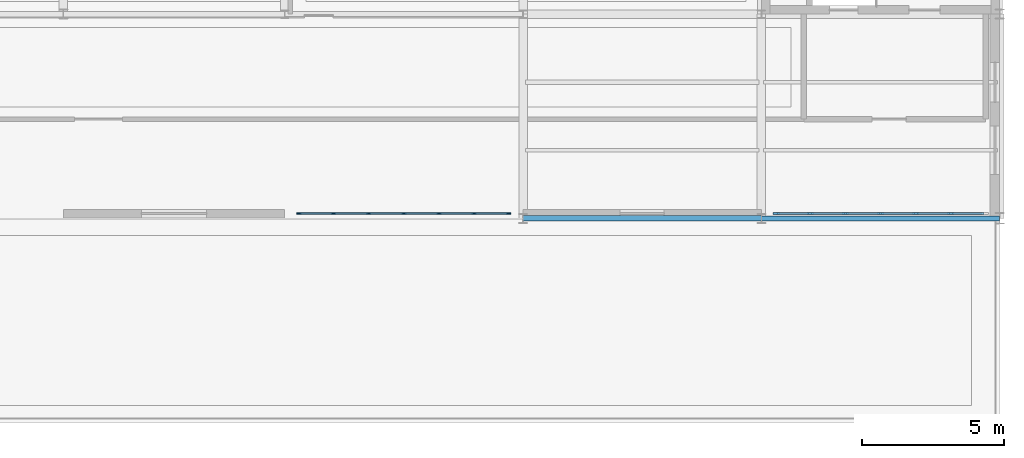
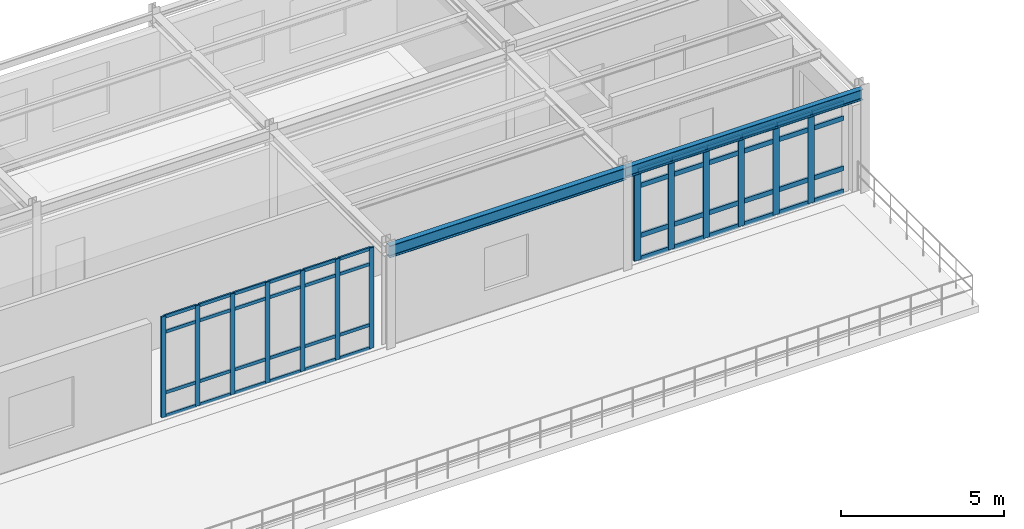
# One storey, part 28 of 58: 61 members, 2 beams, 2 elements without a shape of their own.
"""IFC4 building model written with IfcOpenShell, lengths in metres."""

import ifcopenshell
import ifcopenshell.guid

model = None  # the IFC model being written
_history = None  # IfcOwnerHistory: only IFC2X3 demands one
_inside = {}  # id of a spatial element -> (the spatial element, [elements in it])
_under = {}  # id of a project, library or spatial element -> (it, [spatial elements below it])
_declared = {}  # id of a project -> (the project, [libraries it declares])
_typed = {}  # id of a type object -> (the type object, [elements of that type])
_made_of = {}  # id of a material, layer set ... -> (it, [elements and type objects made of it])


def new_model(schema):
    """Start an empty IFC model of exactly this schema.

    Asked for "IFC4X3", IfcOpenShell would pick the latest addendum, in which some entities
    have other attributes; the version numbers below select the first issue.
    IFC2X3 requires an IfcOwnerHistory on every rooted entity: one is made here for all.
    """
    global model, _history
    if schema == "IFC4X3":
        model = ifcopenshell.file(schema_version=(4, 3, 0, 0))
    else:
        model = ifcopenshell.file(schema=schema)
    _inside.clear()
    _under.clear()
    _declared.clear()
    _typed.clear()
    _made_of.clear()
    _history = None
    if model.schema == "IFC2X3":
        org = make("IfcOrganization", Name="unknown")
        user = make(
            "IfcPersonAndOrganization",
            ThePerson=make("IfcPerson", FamilyName="unknown"),
            TheOrganization=org,
        )
        app = make(
            "IfcApplication",
            ApplicationDeveloper=org,
            Version="unknown",
            ApplicationFullName="unknown",
            ApplicationIdentifier="unknown",
        )
        _history = make(
            "IfcOwnerHistory",
            OwningUser=user,
            OwningApplication=app,
            ChangeAction="ADDED",
            CreationDate=0,
        )
    return model


def make(cls, **values):
    """One entity of the class cls with the attributes given. An attribute that is None is left unset."""
    return model.create_entity(
        cls, **{name: value for name, value in values.items() if value is not None}
    )


def rooted(cls, **values):
    """An entity with a GlobalId (a new one), such as an element, a storey or a relation."""
    return make(cls, GlobalId=ifcopenshell.guid.new(), OwnerHistory=_history, **values)


def si_unit(unit_type, name, prefix=None):
    """IfcSIUnit, for example si_unit("LENGTHUNIT", "METRE", prefix="MILLI")."""
    return make("IfcSIUnit", UnitType=unit_type, Prefix=prefix, Name=name)


def derived_unit(unit_type, elements):
    """IfcDerivedUnit: a product of units, each with its exponent."""
    return make(
        "IfcDerivedUnit",
        Elements=[
            make("IfcDerivedUnitElement", Unit=unit, Exponent=power)
            for unit, power in elements
        ],
        UnitType=unit_type,
    )


def assignment(units):
    """IfcUnitAssignment: the units of a project."""
    return None if units is None else make("IfcUnitAssignment", Units=units)


def point(xyz):
    """IfcCartesianPoint."""
    return None if xyz is None else make("IfcCartesianPoint", Coordinates=xyz)


def direction(xyz):
    """IfcDirection."""
    return None if xyz is None else make("IfcDirection", DirectionRatios=xyz)


def frame(location, z_axis=None, x_axis=None):
    """IfcAxis2Placement3D, a coordinate frame: its origin and axes. An axis left out is left unset."""
    return make(
        "IfcAxis2Placement3D",
        Location=point(location),
        Axis=direction(z_axis),
        RefDirection=direction(x_axis),
    )


def frame_2d(location, x_axis=None):
    """IfcAxis2Placement2D, a coordinate frame in the plane: its origin and x axis."""
    return make(
        "IfcAxis2Placement2D", Location=point(location), RefDirection=direction(x_axis)
    )


def origin():
    """The frame at (0, 0, 0) with its axes left unset."""
    return frame((0.0, 0.0, 0.0))


def origin_2d():
    """The frame at (0, 0) in the plane with its x axis left unset."""
    return frame_2d((0.0, 0.0))


def place(relative_to, where):
    """IfcLocalPlacement: puts the frame where relative to a parent placement (None: the world)."""
    return make(
        "IfcLocalPlacement", PlacementRelTo=relative_to, RelativePlacement=where
    )


def context(
    kind, dimensions, precision=None, world=None, true_north=None, identifier=None
):
    """IfcGeometricRepresentationContext, for example the 3D "Model" context."""
    return make(
        "IfcGeometricRepresentationContext",
        ContextIdentifier=identifier,
        ContextType=kind,
        CoordinateSpaceDimension=dimensions,
        Precision=precision,
        WorldCoordinateSystem=world,
        TrueNorth=true_north,
    )


def subcontext(parent, identifier, kind, view, scale=None):
    """IfcGeometricRepresentationSubContext, for example "Body" below "Model"."""
    return make(
        "IfcGeometricRepresentationSubContext",
        ContextIdentifier=identifier,
        ContextType=kind,
        ParentContext=parent,
        TargetScale=scale,
        TargetView=view,
    )


def project(units=None, contexts=None):
    """IfcProject with its units and contexts."""
    return rooted(
        "IfcProject",
        Name="project",
        RepresentationContexts=contexts,
        UnitsInContext=assignment(units),
    )


def spatial(cls, under=None, at=None, **own):
    """A site, building, storey or space (cls), placed at a placement, below another one or the project."""
    s = rooted(cls, ObjectPlacement=at, **own)
    if under is not None:
        _under.setdefault(under.id(), (under, []))[1].append(s)
    return s


def profile(cls, at=None, kind="AREA", **sizes):
    """A parametric profile (cls). Its sizes go by their IFC names, for example OverallWidth=200.0."""
    return make(cls, ProfileType=kind, Position=at, **sizes)


def rectangle(**sizes):
    """IfcRectangleProfileDef."""
    return profile("IfcRectangleProfileDef", **sizes)


def i_section(**sizes):
    """IfcIShapeProfileDef."""
    return profile("IfcIShapeProfileDef", **sizes)


def extrude(swept, where, along, depth):
    """IfcExtrudedAreaSolid: the profile swept, set in the frame where, extruded along a direction by depth."""
    return make(
        "IfcExtrudedAreaSolid",
        SweptArea=swept,
        Position=where,
        ExtrudedDirection=direction(along),
        Depth=depth,
    )


def shape(context_of_items, identifier, shape_type, items):
    """IfcShapeRepresentation: the items that make up one representation, for example the "Body"."""
    return make(
        "IfcShapeRepresentation",
        ContextOfItems=context_of_items,
        RepresentationIdentifier=identifier,
        RepresentationType=shape_type,
        Items=items,
    )


def material(Name=None, Category=None):
    """IfcMaterial."""
    return make("IfcMaterial", Name=Name, Category=Category)


def layer(
    of_material, thickness, ventilated=None, Name=None, Category=None, Priority=None
):
    """IfcMaterialLayer: one layer of a wall or slab, of a material (None: an air gap)."""
    return make(
        "IfcMaterialLayer",
        Material=of_material,
        LayerThickness=thickness,
        IsVentilated=ventilated,
        Name=Name,
        Category=Category,
        Priority=Priority,
    )


def layer_set(layers, Name=None):
    """IfcMaterialLayerSet."""
    return make("IfcMaterialLayerSet", MaterialLayers=layers, LayerSetName=Name)


def material_profile(
    of_material, cross_section, Name=None, Category=None, Priority=None
):
    """IfcMaterialProfile: a cross section and its material."""
    return make(
        "IfcMaterialProfile",
        Name=Name,
        Material=of_material,
        Profile=cross_section,
        Priority=Priority,
        Category=Category,
    )


def profile_set(profiles, Name=None, composite=None):
    """IfcMaterialProfileSet."""
    return make(
        "IfcMaterialProfileSet",
        Name=Name,
        MaterialProfiles=profiles,
        CompositeProfile=composite,
    )


def made_of(thing, what):
    """Note that an element or type object is made of a material, layer set ...; save() writes the relation."""
    if what is not None:
        _made_of.setdefault(what.id(), (what, []))[1].append(thing)
    return thing


def type_object(cls, material=None, **own):
    """A type object (cls), such as IfcWallType, which elements share."""
    return made_of(rooted(cls, **own), material)


def element(
    cls,
    number,
    at=None,
    inside=None,
    cuts=None,
    type_object=None,
    material=None,
    context=None,
    identifier="Body",
    shape_type=None,
    held_by="IfcProductDefinitionShape",
    body=None,
    shapes=None,
    **own,
):
    """One element of the class cls, such as IfcWall. Its Tag is "e" and its number.

    at: its placement. inside: the storey or other place that contains it. cuts: it is an
    opening in that element (IfcRelVoidsElement). A single representation is given by context,
    identifier, shape_type and body (its items); several are given by shapes. held_by: the class
    of the entity that holds the representations. save() writes the other relations.
    """
    e = rooted(cls, Tag="e%d" % number, ObjectPlacement=at, **own)
    if body is not None:
        shapes = [shape(context, identifier, shape_type, body)]
    if shapes is not None:
        e.Representation = make(held_by, Representations=shapes)
    if inside is not None:
        _inside.setdefault(inside.id(), (inside, []))[1].append(e)
    if cuts is not None:
        rooted(
            "IfcRelVoidsElement", RelatingBuildingElement=cuts, RelatedOpeningElement=e
        )
    if type_object is not None:
        _typed.setdefault(type_object.id(), (type_object, []))[1].append(e)
    return made_of(e, material)


def aggregate(whole, parts):
    """IfcRelAggregates: a whole, such as a stair, and the parts it consists of."""
    return rooted("IfcRelAggregates", RelatingObject=whole, RelatedObjects=parts)


def save(model, path):
    """Write the relations noted so far, then the file.

    IfcRelAggregates (storeys below a building ...), IfcRelContainedInSpatialStructure (elements
    in a storey), IfcRelDefinesByType, IfcRelAssociatesMaterial and IfcRelDeclares: one each for
    every whole, place, type object, material and project.
    """
    for whole, parts in _under.values():
        aggregate(whole, parts)
    for where, things in _inside.values():
        rooted(
            "IfcRelContainedInSpatialStructure",
            RelatedElements=things,
            RelatingStructure=where,
        )
    for kind, things in _typed.values():
        rooted("IfcRelDefinesByType", RelatedObjects=things, RelatingType=kind)
    for what, things in _made_of.values():
        rooted("IfcRelAssociatesMaterial", RelatedObjects=things, RelatingMaterial=what)
    for by, libraries in _declared.values():
        rooted("IfcRelDeclares", RelatingContext=by, RelatedDefinitions=libraries)
    model.write(path)


model = new_model("IFC4")

# Units and contexts
model_context = context("Model", 3, precision=1e-05, world=origin(), true_north=direction((0.0, 1.0)))
body_context = subcontext(model_context, "Body", "Model", "MODEL_VIEW")
ifc_project = project(units=[si_unit("LENGTHUNIT", "METRE"), si_unit("AREAUNIT", "SQUARE_METRE"), si_unit("VOLUMEUNIT", "CUBIC_METRE"), si_unit("PLANEANGLEUNIT", "RADIAN"), si_unit("MASSUNIT", "GRAM", prefix="KILO"), derived_unit("THERMALTRANSMITTANCEUNIT", [(si_unit("POWERUNIT", "WATT"), 1), (si_unit("AREAUNIT", "SQUARE_METRE"), -1), (si_unit("THERMODYNAMICTEMPERATUREUNIT", "KELVIN"), -1)])], contexts=[model_context])

# Site, building, storey
site_placement = place(None, origin())
site = spatial("IfcSite", under=ifc_project, at=site_placement, CompositionType="ELEMENT")
building_placement = place(site_placement, origin())
building = spatial("IfcBuilding", under=site, at=building_placement, Name="Yasenodar Specialist Clinic", CompositionType="ELEMENT")
storey_placement = place(building_placement, frame((0.0, 0.0, 21.300048828125)))
storey = spatial("IfcBuildingStorey", under=building, at=storey_placement, Name="L05", CompositionType="ELEMENT", Elevation=21.300048828125)

# Beams
ifc_material_1 = material(Name="Steel S355", Category="steel")
ifc_material_profile_1 = material_profile(ifc_material_1, i_section(OverallWidth=0.179931640625, OverallDepth=0.39990234375, WebThickness=0.008544921875, FlangeThickness=0.013427734375, FilletRadius=0.02099609375, at=origin_2d()), Name="IPE 400")
ifc_profile_set_1 = profile_set([ifc_material_profile_1], Name="Steel S355")
beam_type_1 = type_object("IfcBeamType", Name="BM-IPE400", PredefinedType="BEAM", material=ifc_profile_set_1)
beam_1_placement = place(storey_placement, frame((113.39990234375, 97.199951171875, 3.599853515625), z_axis=(1.0, 0.0, 0.0), x_axis=(0.0, 1.0, 0.0)))
element("IfcBeam", 1, at=beam_1_placement, inside=storey, type_object=beam_type_1, Name="L05 Primary E-W Girder", PredefinedType="BEAM", context=body_context, shape_type="SweptSolid", body=[
    extrude(i_section(OverallWidth=0.179931640625, OverallDepth=0.39990234375, WebThickness=0.008544921875, FlangeThickness=0.013427734375, FilletRadius=0.02099609375, at=origin_2d()), origin(), (0.0, 0.0, 1.0), 8.400146484375),
])
ifc_material_profile_2 = material_profile(ifc_material_1, i_section(OverallWidth=0.18994140625, OverallDepth=0.449951171875, WebThickness=0.009521484375, FlangeThickness=0.0146484375, FilletRadius=0.02099609375, at=origin_2d()), Name="IPE 450")
ifc_profile_set_2 = profile_set([ifc_material_profile_2], Name="Steel S355")
beam_type_2 = type_object("IfcBeamType", Name="BM-IPE450", PredefinedType="BEAM", material=ifc_profile_set_2)
beam_2_placement = place(storey_placement, frame((105.0, 97.199951171875, 3.574951171875), z_axis=(1.0, 0.0, 0.0), x_axis=(0.0, 1.0, 0.0)))
element("IfcBeam", 2, at=beam_2_placement, inside=storey, type_object=beam_type_2, Name="L05 Primary E-W Girder", PredefinedType="BEAM", context=body_context, shape_type="SweptSolid", body=[
    extrude(i_section(OverallWidth=0.18994140625, OverallDepth=0.449951171875, WebThickness=0.009521484375, FlangeThickness=0.0146484375, FilletRadius=0.02099609375, at=origin_2d()), origin(), (0.0, 0.0, 1.0), 8.39990234375),
])

# Curtain wall, members
ifc_material_2 = material(Name="Bronze Anodized Aluminium and Triple Low-E Glass", Category="aluminium")
ifc_layer = layer(ifc_material_2, 0.215087890625)
ifc_layer_set = layer_set([ifc_layer], Name="Bronze Anodized Aluminium and Triple Low-E Glass")
curtain_wall_type = type_object("IfcCurtainWallType", Name="CW-SYS-05", PredefinedType="USERDEFINED", material=ifc_layer_set)
curtain_wall_1_placement = place(storey_placement, origin())
curtain_wall_1 = element("IfcCurtainWall", 3, at=curtain_wall_1_placement, inside=storey, type_object=curtain_wall_type, Name="L05 Unitised Curtain Wall 166", ObjectType="UNITISED CURTAIN WALL", PredefinedType="USERDEFINED")
ifc_material_3 = material(Name="Bronze Anodized Aluminium", Category="aluminium")
ifc_material_profile_3 = material_profile(ifc_material_3, rectangle(XDim=0.06005859375, YDim=0.159912109375, at=origin_2d()), Name="CW-MULL 60x160")
ifc_profile_set_3 = profile_set([ifc_material_profile_3], Name="Bronze Anodized Aluminium")
member_type_1 = type_object("IfcMemberType", Name="CW-MULL-160", PredefinedType="MULLION", material=ifc_profile_set_3)
member_1_placement = place(storey_placement, frame((104.489990234375, 97.3701171875, 0.0), z_axis=(0.0, 0.0, 1.0), x_axis=(0.0, -1.0, 0.0)))
member_1 = element("IfcMember", 4, at=member_1_placement, type_object=member_type_1, Name="CW-05 mullion 1", PredefinedType="MULLION", context=body_context, shape_type="SweptSolid", body=[
    extrude(rectangle(XDim=0.06005859375, YDim=0.159912109375, at=origin_2d()), origin(), (0.0, 0.0, 1.0), 3.780029296875),
])
member_2_placement = place(storey_placement, frame((103.280029296875, 97.3701171875, 0.0), z_axis=(0.0, 0.0, 1.0), x_axis=(0.0, -1.0, 0.0)))
member_2 = element("IfcMember", 5, at=member_2_placement, type_object=member_type_1, Name="CW-05 mullion 2", PredefinedType="MULLION", context=body_context, shape_type="SweptSolid", body=[
    extrude(rectangle(XDim=0.06005859375, YDim=0.159912109375, at=origin_2d()), origin(), (0.0, 0.0, 1.0), 3.780029296875),
])
member_3_placement = place(storey_placement, frame((102.0400390625, 97.3701171875, 0.0), z_axis=(0.0, 0.0, 1.0), x_axis=(0.0, -1.0, 0.0)))
member_3 = element("IfcMember", 6, at=member_3_placement, type_object=member_type_1, Name="CW-05 mullion 3", PredefinedType="MULLION", context=body_context, shape_type="SweptSolid", body=[
    extrude(rectangle(XDim=0.06005859375, YDim=0.159912109375, at=origin_2d()), origin(), (0.0, 0.0, 1.0), 3.780029296875),
])
member_4_placement = place(storey_placement, frame((100.800048828125, 97.3701171875, 0.0), z_axis=(0.0, 0.0, 1.0), x_axis=(0.0, -1.0, 0.0)))
member_4 = element("IfcMember", 7, at=member_4_placement, type_object=member_type_1, Name="CW-05 mullion 4", PredefinedType="MULLION", context=body_context, shape_type="SweptSolid", body=[
    extrude(rectangle(XDim=0.06005859375, YDim=0.159912109375, at=origin_2d()), origin(), (0.0, 0.0, 1.0), 3.780029296875),
])
member_5_placement = place(storey_placement, frame((99.56005859375, 97.3701171875, 0.0), z_axis=(0.0, 0.0, 1.0), x_axis=(0.0, -1.0, 0.0)))
member_5 = element("IfcMember", 8, at=member_5_placement, type_object=member_type_1, Name="CW-05 mullion 5", PredefinedType="MULLION", context=body_context, shape_type="SweptSolid", body=[
    extrude(rectangle(XDim=0.06005859375, YDim=0.159912109375, at=origin_2d()), origin(), (0.0, 0.0, 1.0), 3.780029296875),
])
member_6_placement = place(storey_placement, frame((98.320068359375, 97.3701171875, 0.0), z_axis=(0.0, 0.0, 1.0), x_axis=(0.0, -1.0, 0.0)))
member_6 = element("IfcMember", 9, at=member_6_placement, type_object=member_type_1, Name="CW-05 mullion 6", PredefinedType="MULLION", context=body_context, shape_type="SweptSolid", body=[
    extrude(rectangle(XDim=0.06005859375, YDim=0.159912109375, at=origin_2d()), origin(), (0.0, 0.0, 1.0), 3.780029296875),
])
member_7_placement = place(storey_placement, frame((97.110107421875, 97.3701171875, 0.0), z_axis=(0.0, 0.0, 1.0), x_axis=(0.0, -1.0, 0.0)))
member_7 = element("IfcMember", 10, at=member_7_placement, type_object=member_type_1, Name="CW-05 mullion 7", PredefinedType="MULLION", context=body_context, shape_type="SweptSolid", body=[
    extrude(rectangle(XDim=0.06005859375, YDim=0.159912109375, at=origin_2d()), origin(), (0.0, 0.0, 1.0), 3.780029296875),
])

curtain_wall_2_placement = place(storey_placement, origin())
curtain_wall_2 = element("IfcCurtainWall", 11, at=curtain_wall_2_placement, inside=storey, type_object=curtain_wall_type, Name="L05 Unitised Curtain Wall 165", ObjectType="UNITISED CURTAIN WALL", PredefinedType="USERDEFINED")
ifc_material_profile_4 = material_profile(ifc_material_3, rectangle(XDim=0.074951171875, YDim=0.22509765625, at=origin_2d()), Name="CW-MULL 75x225")
ifc_profile_set_4 = profile_set([ifc_material_profile_4], Name="Bronze Anodized Aluminium")
member_type_2 = type_object("IfcMemberType", Name="CW-MULL-225", PredefinedType="MULLION", material=ifc_profile_set_4)
member_8_placement = place(storey_placement, frame((120.080078125, 97.3701171875, 0.0), z_axis=(0.0, 0.0, 1.0), x_axis=(0.0, -1.0, 0.0)))
member_8 = element("IfcMember", 12, at=member_8_placement, type_object=member_type_2, Name="CW-05 mullion 2", PredefinedType="MULLION", context=body_context, shape_type="SweptSolid", body=[
    extrude(rectangle(XDim=0.074951171875, YDim=0.22509765625, at=origin_2d()), origin(), (0.0, 0.0, 1.0), 3.3779296875),
])
member_9_placement = place(storey_placement, frame((118.840087890625, 97.3701171875, 0.0), z_axis=(0.0, 0.0, 1.0), x_axis=(0.0, -1.0, 0.0)))
member_9 = element("IfcMember", 13, at=member_9_placement, type_object=member_type_2, Name="CW-05 mullion 3", PredefinedType="MULLION", context=body_context, shape_type="SweptSolid", body=[
    extrude(rectangle(XDim=0.074951171875, YDim=0.22509765625, at=origin_2d()), origin(), (0.0, 0.0, 1.0), 3.3779296875),
])
member_10_placement = place(storey_placement, frame((117.60009765625, 97.3701171875, 0.0), z_axis=(0.0, 0.0, 1.0), x_axis=(0.0, -1.0, 0.0)))
member_10 = element("IfcMember", 14, at=member_10_placement, type_object=member_type_2, Name="CW-05 mullion 4", PredefinedType="MULLION", context=body_context, shape_type="SweptSolid", body=[
    extrude(rectangle(XDim=0.074951171875, YDim=0.22509765625, at=origin_2d()), origin(), (0.0, 0.0, 1.0), 3.3779296875),
])
member_11_placement = place(storey_placement, frame((116.360107421875, 97.3701171875, 0.0), z_axis=(0.0, 0.0, 1.0), x_axis=(0.0, -1.0, 0.0)))
member_11 = element("IfcMember", 15, at=member_11_placement, type_object=member_type_2, Name="CW-05 mullion 5", PredefinedType="MULLION", context=body_context, shape_type="SweptSolid", body=[
    extrude(rectangle(XDim=0.074951171875, YDim=0.22509765625, at=origin_2d()), origin(), (0.0, 0.0, 1.0), 3.3779296875),
])
member_12_placement = place(storey_placement, frame((115.1201171875, 97.3701171875, 0.0), z_axis=(0.0, 0.0, 1.0), x_axis=(0.0, -1.0, 0.0)))
member_12 = element("IfcMember", 16, at=member_12_placement, type_object=member_type_2, Name="CW-05 mullion 6", PredefinedType="MULLION", context=body_context, shape_type="SweptSolid", body=[
    extrude(rectangle(XDim=0.074951171875, YDim=0.22509765625, at=origin_2d()), origin(), (0.0, 0.0, 1.0), 3.3779296875),
])
member_13_placement = place(storey_placement, frame((113.91748046875, 97.3701171875, 0.0), z_axis=(0.0, 0.0, 1.0), x_axis=(0.0, -1.0, 0.0)))
member_13 = element("IfcMember", 17, at=member_13_placement, type_object=member_type_2, Name="CW-05 mullion 7", PredefinedType="MULLION", context=body_context, shape_type="SweptSolid", body=[
    extrude(rectangle(XDim=0.074951171875, YDim=0.22509765625, at=origin_2d()), origin(), (0.0, 0.0, 1.0), 3.3779296875),
])

# Member
ifc_material_profile_5 = material_profile(ifc_material_3, rectangle(XDim=0.06005859375, YDim=0.1201171875, at=origin_2d()), Name="CW-TRAN 60x120")
ifc_profile_set_5 = profile_set([ifc_material_profile_5], Name="Bronze Anodized Aluminium")
member_type_3 = type_object("IfcMemberType", Name="CW-TRAN-120", PredefinedType="USERDEFINED", material=ifc_profile_set_5)
member_14_placement = place(storey_placement, frame((104.4599609375, 97.3701171875, 0.030029296875), z_axis=(-1.0, 0.0, 0.0), x_axis=(0.0, -1.0, 0.0)))
member_14 = element("IfcMember", 18, at=member_14_placement, type_object=member_type_3, Name="CW-05 transom 1.1", ObjectType="TRANSOM", PredefinedType="USERDEFINED", context=body_context, shape_type="SweptSolid", body=[
    extrude(rectangle(XDim=0.06005859375, YDim=0.1201171875, at=origin_2d()), origin(), (0.0, 0.0, 1.0), 1.14990234375),
])

member_15_placement = place(storey_placement, frame((104.4599609375, 97.3701171875, 0.89990234375), z_axis=(-1.0, 0.0, 0.0), x_axis=(0.0, -1.0, 0.0)))
member_15 = element("IfcMember", 19, at=member_15_placement, type_object=member_type_3, Name="CW-05 transom 1.2", ObjectType="TRANSOM", PredefinedType="USERDEFINED", context=body_context, shape_type="SweptSolid", body=[
    extrude(rectangle(XDim=0.06005859375, YDim=0.1201171875, at=origin_2d()), origin(), (0.0, 0.0, 1.0), 1.14990234375),
])

member_16_placement = place(storey_placement, frame((104.4599609375, 97.3701171875, 3.179931640625), z_axis=(-1.0, 0.0, 0.0), x_axis=(0.0, -1.0, 0.0)))
member_16 = element("IfcMember", 20, at=member_16_placement, type_object=member_type_3, Name="CW-05 transom 1.3", ObjectType="TRANSOM", PredefinedType="USERDEFINED", context=body_context, shape_type="SweptSolid", body=[
    extrude(rectangle(XDim=0.06005859375, YDim=0.1201171875, at=origin_2d()), origin(), (0.0, 0.0, 1.0), 1.14990234375),
])

member_17_placement = place(storey_placement, frame((104.4599609375, 97.3701171875, 3.75), z_axis=(-1.0, 0.0, 0.0), x_axis=(0.0, -1.0, 0.0)))
member_17 = element("IfcMember", 21, at=member_17_placement, type_object=member_type_3, Name="CW-05 transom 1.4", ObjectType="TRANSOM", PredefinedType="USERDEFINED", context=body_context, shape_type="SweptSolid", body=[
    extrude(rectangle(XDim=0.06005859375, YDim=0.1201171875, at=origin_2d()), origin(), (0.0, 0.0, 1.0), 1.14990234375),
])

member_18_placement = place(storey_placement, frame((103.25, 97.3701171875, 0.030029296875), z_axis=(-1.0, 0.0, 0.0), x_axis=(0.0, -1.0, 0.0)))
member_18 = element("IfcMember", 22, at=member_18_placement, type_object=member_type_3, Name="CW-05 transom 2.1", ObjectType="TRANSOM", PredefinedType="USERDEFINED", context=body_context, shape_type="SweptSolid", body=[
    extrude(rectangle(XDim=0.06005859375, YDim=0.1201171875, at=origin_2d()), origin(), (0.0, 0.0, 1.0), 1.179931640625),
])

member_19_placement = place(storey_placement, frame((103.25, 97.3701171875, 0.89990234375), z_axis=(-1.0, 0.0, 0.0), x_axis=(0.0, -1.0, 0.0)))
member_19 = element("IfcMember", 23, at=member_19_placement, type_object=member_type_3, Name="CW-05 transom 2.2", ObjectType="TRANSOM", PredefinedType="USERDEFINED", context=body_context, shape_type="SweptSolid", body=[
    extrude(rectangle(XDim=0.06005859375, YDim=0.1201171875, at=origin_2d()), origin(), (0.0, 0.0, 1.0), 1.179931640625),
])

member_20_placement = place(storey_placement, frame((103.25, 97.3701171875, 3.179931640625), z_axis=(-1.0, 0.0, 0.0), x_axis=(0.0, -1.0, 0.0)))
member_20 = element("IfcMember", 24, at=member_20_placement, type_object=member_type_3, Name="CW-05 transom 2.3", ObjectType="TRANSOM", PredefinedType="USERDEFINED", context=body_context, shape_type="SweptSolid", body=[
    extrude(rectangle(XDim=0.06005859375, YDim=0.1201171875, at=origin_2d()), origin(), (0.0, 0.0, 1.0), 1.179931640625),
])

member_21_placement = place(storey_placement, frame((103.25, 97.3701171875, 3.75), z_axis=(-1.0, 0.0, 0.0), x_axis=(0.0, -1.0, 0.0)))
member_21 = element("IfcMember", 25, at=member_21_placement, type_object=member_type_3, Name="CW-05 transom 2.4", ObjectType="TRANSOM", PredefinedType="USERDEFINED", context=body_context, shape_type="SweptSolid", body=[
    extrude(rectangle(XDim=0.06005859375, YDim=0.1201171875, at=origin_2d()), origin(), (0.0, 0.0, 1.0), 1.179931640625),
])

member_22_placement = place(storey_placement, frame((102.010009765625, 97.3701171875, 0.030029296875), z_axis=(-1.0, 0.0, 0.0), x_axis=(0.0, -1.0, 0.0)))
member_22 = element("IfcMember", 26, at=member_22_placement, type_object=member_type_3, Name="CW-05 transom 3.1", ObjectType="TRANSOM", PredefinedType="USERDEFINED", context=body_context, shape_type="SweptSolid", body=[
    extrude(rectangle(XDim=0.06005859375, YDim=0.1201171875, at=origin_2d()), origin(), (0.0, 0.0, 1.0), 1.179931640625),
])

member_23_placement = place(storey_placement, frame((102.010009765625, 97.3701171875, 0.89990234375), z_axis=(-1.0, 0.0, 0.0), x_axis=(0.0, -1.0, 0.0)))
member_23 = element("IfcMember", 27, at=member_23_placement, type_object=member_type_3, Name="CW-05 transom 3.2", ObjectType="TRANSOM", PredefinedType="USERDEFINED", context=body_context, shape_type="SweptSolid", body=[
    extrude(rectangle(XDim=0.06005859375, YDim=0.1201171875, at=origin_2d()), origin(), (0.0, 0.0, 1.0), 1.179931640625),
])

member_24_placement = place(storey_placement, frame((102.010009765625, 97.3701171875, 3.179931640625), z_axis=(-1.0, 0.0, 0.0), x_axis=(0.0, -1.0, 0.0)))
member_24 = element("IfcMember", 28, at=member_24_placement, type_object=member_type_3, Name="CW-05 transom 3.3", ObjectType="TRANSOM", PredefinedType="USERDEFINED", context=body_context, shape_type="SweptSolid", body=[
    extrude(rectangle(XDim=0.06005859375, YDim=0.1201171875, at=origin_2d()), origin(), (0.0, 0.0, 1.0), 1.179931640625),
])

member_25_placement = place(storey_placement, frame((102.010009765625, 97.3701171875, 3.75), z_axis=(-1.0, 0.0, 0.0), x_axis=(0.0, -1.0, 0.0)))
member_25 = element("IfcMember", 29, at=member_25_placement, type_object=member_type_3, Name="CW-05 transom 3.4", ObjectType="TRANSOM", PredefinedType="USERDEFINED", context=body_context, shape_type="SweptSolid", body=[
    extrude(rectangle(XDim=0.06005859375, YDim=0.1201171875, at=origin_2d()), origin(), (0.0, 0.0, 1.0), 1.179931640625),
])

member_26_placement = place(storey_placement, frame((100.77001953125, 97.3701171875, 0.030029296875), z_axis=(-1.0, 0.0, 0.0), x_axis=(0.0, -1.0, 0.0)))
member_26 = element("IfcMember", 30, at=member_26_placement, type_object=member_type_3, Name="CW-05 transom 4.1", ObjectType="TRANSOM", PredefinedType="USERDEFINED", context=body_context, shape_type="SweptSolid", body=[
    extrude(rectangle(XDim=0.06005859375, YDim=0.1201171875, at=origin_2d()), origin(), (0.0, 0.0, 1.0), 1.179931640625),
])

member_27_placement = place(storey_placement, frame((100.77001953125, 97.3701171875, 0.89990234375), z_axis=(-1.0, 0.0, 0.0), x_axis=(0.0, -1.0, 0.0)))
member_27 = element("IfcMember", 31, at=member_27_placement, type_object=member_type_3, Name="CW-05 transom 4.2", ObjectType="TRANSOM", PredefinedType="USERDEFINED", context=body_context, shape_type="SweptSolid", body=[
    extrude(rectangle(XDim=0.06005859375, YDim=0.1201171875, at=origin_2d()), origin(), (0.0, 0.0, 1.0), 1.179931640625),
])

member_28_placement = place(storey_placement, frame((100.77001953125, 97.3701171875, 3.179931640625), z_axis=(-1.0, 0.0, 0.0), x_axis=(0.0, -1.0, 0.0)))
member_28 = element("IfcMember", 32, at=member_28_placement, type_object=member_type_3, Name="CW-05 transom 4.3", ObjectType="TRANSOM", PredefinedType="USERDEFINED", context=body_context, shape_type="SweptSolid", body=[
    extrude(rectangle(XDim=0.06005859375, YDim=0.1201171875, at=origin_2d()), origin(), (0.0, 0.0, 1.0), 1.179931640625),
])

member_29_placement = place(storey_placement, frame((100.77001953125, 97.3701171875, 3.75), z_axis=(-1.0, 0.0, 0.0), x_axis=(0.0, -1.0, 0.0)))
member_29 = element("IfcMember", 33, at=member_29_placement, type_object=member_type_3, Name="CW-05 transom 4.4", ObjectType="TRANSOM", PredefinedType="USERDEFINED", context=body_context, shape_type="SweptSolid", body=[
    extrude(rectangle(XDim=0.06005859375, YDim=0.1201171875, at=origin_2d()), origin(), (0.0, 0.0, 1.0), 1.179931640625),
])

member_30_placement = place(storey_placement, frame((99.530029296875, 97.3701171875, 0.030029296875), z_axis=(-1.0, 0.0, 0.0), x_axis=(0.0, -1.0, 0.0)))
member_30 = element("IfcMember", 34, at=member_30_placement, type_object=member_type_3, Name="CW-05 transom 5.1", ObjectType="TRANSOM", PredefinedType="USERDEFINED", context=body_context, shape_type="SweptSolid", body=[
    extrude(rectangle(XDim=0.06005859375, YDim=0.1201171875, at=origin_2d()), origin(), (0.0, 0.0, 1.0), 1.179931640625),
])

member_31_placement = place(storey_placement, frame((99.530029296875, 97.3701171875, 0.89990234375), z_axis=(-1.0, 0.0, 0.0), x_axis=(0.0, -1.0, 0.0)))
member_31 = element("IfcMember", 35, at=member_31_placement, type_object=member_type_3, Name="CW-05 transom 5.2", ObjectType="TRANSOM", PredefinedType="USERDEFINED", context=body_context, shape_type="SweptSolid", body=[
    extrude(rectangle(XDim=0.06005859375, YDim=0.1201171875, at=origin_2d()), origin(), (0.0, 0.0, 1.0), 1.179931640625),
])

member_32_placement = place(storey_placement, frame((99.530029296875, 97.3701171875, 3.179931640625), z_axis=(-1.0, 0.0, 0.0), x_axis=(0.0, -1.0, 0.0)))
member_32 = element("IfcMember", 36, at=member_32_placement, type_object=member_type_3, Name="CW-05 transom 5.3", ObjectType="TRANSOM", PredefinedType="USERDEFINED", context=body_context, shape_type="SweptSolid", body=[
    extrude(rectangle(XDim=0.06005859375, YDim=0.1201171875, at=origin_2d()), origin(), (0.0, 0.0, 1.0), 1.179931640625),
])

member_33_placement = place(storey_placement, frame((99.530029296875, 97.3701171875, 3.75), z_axis=(-1.0, 0.0, 0.0), x_axis=(0.0, -1.0, 0.0)))
member_33 = element("IfcMember", 37, at=member_33_placement, type_object=member_type_3, Name="CW-05 transom 5.4", ObjectType="TRANSOM", PredefinedType="USERDEFINED", context=body_context, shape_type="SweptSolid", body=[
    extrude(rectangle(XDim=0.06005859375, YDim=0.1201171875, at=origin_2d()), origin(), (0.0, 0.0, 1.0), 1.179931640625),
])

member_34_placement = place(storey_placement, frame((98.2900390625, 97.3701171875, 0.030029296875), z_axis=(-1.0, 0.0, 0.0), x_axis=(0.0, -1.0, 0.0)))
member_34 = element("IfcMember", 38, at=member_34_placement, type_object=member_type_3, Name="CW-05 transom 6.1", ObjectType="TRANSOM", PredefinedType="USERDEFINED", context=body_context, shape_type="SweptSolid", body=[
    extrude(rectangle(XDim=0.06005859375, YDim=0.1201171875, at=origin_2d()), origin(), (0.0, 0.0, 1.0), 1.150146484375),
])

member_35_placement = place(storey_placement, frame((98.2900390625, 97.3701171875, 0.89990234375), z_axis=(-1.0, 0.0, 0.0), x_axis=(0.0, -1.0, 0.0)))
member_35 = element("IfcMember", 39, at=member_35_placement, type_object=member_type_3, Name="CW-05 transom 6.2", ObjectType="TRANSOM", PredefinedType="USERDEFINED", context=body_context, shape_type="SweptSolid", body=[
    extrude(rectangle(XDim=0.06005859375, YDim=0.1201171875, at=origin_2d()), origin(), (0.0, 0.0, 1.0), 1.150146484375),
])

member_36_placement = place(storey_placement, frame((98.2900390625, 97.3701171875, 3.179931640625), z_axis=(-1.0, 0.0, 0.0), x_axis=(0.0, -1.0, 0.0)))
member_36 = element("IfcMember", 40, at=member_36_placement, type_object=member_type_3, Name="CW-05 transom 6.3", ObjectType="TRANSOM", PredefinedType="USERDEFINED", context=body_context, shape_type="SweptSolid", body=[
    extrude(rectangle(XDim=0.06005859375, YDim=0.1201171875, at=origin_2d()), origin(), (0.0, 0.0, 1.0), 1.150146484375),
])

member_37_placement = place(storey_placement, frame((98.2900390625, 97.3701171875, 3.75), z_axis=(-1.0, 0.0, 0.0), x_axis=(0.0, -1.0, 0.0)))
member_37 = element("IfcMember", 41, at=member_37_placement, type_object=member_type_3, Name="CW-05 transom 6.4", ObjectType="TRANSOM", PredefinedType="USERDEFINED", context=body_context, shape_type="SweptSolid", body=[
    extrude(rectangle(XDim=0.06005859375, YDim=0.1201171875, at=origin_2d()), origin(), (0.0, 0.0, 1.0), 1.150146484375),
])

aggregate(curtain_wall_1, [member_1, member_2, member_3, member_4, member_5, member_6, member_7, member_14, member_15, member_16, member_17, member_18, member_19, member_20, member_21, member_22, member_23, member_24, member_25, member_26, member_27, member_28, member_29, member_30, member_31, member_32, member_33, member_34, member_35, member_36, member_37])

ifc_material_profile_6 = material_profile(ifc_material_3, rectangle(XDim=0.074951171875, YDim=0.175048828125, at=origin_2d()), Name="CW-TRAN 75x175")
ifc_profile_set_6 = profile_set([ifc_material_profile_6], Name="Bronze Anodized Aluminium")
member_type_4 = type_object("IfcMemberType", Name="CW-TRAN-175", PredefinedType="USERDEFINED", material=ifc_profile_set_6)
member_38_placement = place(storey_placement, frame((121.2451171875, 97.3701171875, 0.037353515625), z_axis=(-1.0, 0.0, 0.0), x_axis=(0.0, -1.0, 0.0)))
member_38 = element("IfcMember", 42, at=member_38_placement, type_object=member_type_4, Name="CW-05 transom 1.1", ObjectType="TRANSOM", PredefinedType="USERDEFINED", context=body_context, shape_type="SweptSolid", body=[
    extrude(rectangle(XDim=0.074951171875, YDim=0.175048828125, at=origin_2d()), origin(), (0.0, 0.0, 1.0), 1.127685546875),
])

member_39_placement = place(storey_placement, frame((121.2451171875, 97.3701171875, 0.89990234375), z_axis=(-1.0, 0.0, 0.0), x_axis=(0.0, -1.0, 0.0)))
member_39 = element("IfcMember", 43, at=member_39_placement, type_object=member_type_4, Name="CW-05 transom 1.2", ObjectType="TRANSOM", PredefinedType="USERDEFINED", context=body_context, shape_type="SweptSolid", body=[
    extrude(rectangle(XDim=0.074951171875, YDim=0.175048828125, at=origin_2d()), origin(), (0.0, 0.0, 1.0), 1.127685546875),
])

member_40_placement = place(storey_placement, frame((121.2451171875, 97.3701171875, 2.77783203125), z_axis=(-1.0, 0.0, 0.0), x_axis=(0.0, -1.0, 0.0)))
member_40 = element("IfcMember", 44, at=member_40_placement, type_object=member_type_4, Name="CW-05 transom 1.3", ObjectType="TRANSOM", PredefinedType="USERDEFINED", context=body_context, shape_type="SweptSolid", body=[
    extrude(rectangle(XDim=0.074951171875, YDim=0.175048828125, at=origin_2d()), origin(), (0.0, 0.0, 1.0), 1.127685546875),
])

member_41_placement = place(storey_placement, frame((121.2451171875, 97.3701171875, 3.34033203125), z_axis=(-1.0, 0.0, 0.0), x_axis=(0.0, -1.0, 0.0)))
member_41 = element("IfcMember", 45, at=member_41_placement, type_object=member_type_4, Name="CW-05 transom 1.4", ObjectType="TRANSOM", PredefinedType="USERDEFINED", context=body_context, shape_type="SweptSolid", body=[
    extrude(rectangle(XDim=0.074951171875, YDim=0.175048828125, at=origin_2d()), origin(), (0.0, 0.0, 1.0), 1.127685546875),
])

member_42_placement = place(storey_placement, frame((120.04248046875, 97.3701171875, 0.037353515625), z_axis=(-1.0, 0.0, 0.0), x_axis=(0.0, -1.0, 0.0)))
member_42 = element("IfcMember", 46, at=member_42_placement, type_object=member_type_4, Name="CW-05 transom 2.1", ObjectType="TRANSOM", PredefinedType="USERDEFINED", context=body_context, shape_type="SweptSolid", body=[
    extrude(rectangle(XDim=0.074951171875, YDim=0.175048828125, at=origin_2d()), origin(), (0.0, 0.0, 1.0), 1.1650390625),
])

member_43_placement = place(storey_placement, frame((120.04248046875, 97.3701171875, 0.89990234375), z_axis=(-1.0, 0.0, 0.0), x_axis=(0.0, -1.0, 0.0)))
member_43 = element("IfcMember", 47, at=member_43_placement, type_object=member_type_4, Name="CW-05 transom 2.2", ObjectType="TRANSOM", PredefinedType="USERDEFINED", context=body_context, shape_type="SweptSolid", body=[
    extrude(rectangle(XDim=0.074951171875, YDim=0.175048828125, at=origin_2d()), origin(), (0.0, 0.0, 1.0), 1.1650390625),
])

member_44_placement = place(storey_placement, frame((120.04248046875, 97.3701171875, 2.77783203125), z_axis=(-1.0, 0.0, 0.0), x_axis=(0.0, -1.0, 0.0)))
member_44 = element("IfcMember", 48, at=member_44_placement, type_object=member_type_4, Name="CW-05 transom 2.3", ObjectType="TRANSOM", PredefinedType="USERDEFINED", context=body_context, shape_type="SweptSolid", body=[
    extrude(rectangle(XDim=0.074951171875, YDim=0.175048828125, at=origin_2d()), origin(), (0.0, 0.0, 1.0), 1.1650390625),
])

member_45_placement = place(storey_placement, frame((120.04248046875, 97.3701171875, 3.34033203125), z_axis=(-1.0, 0.0, 0.0), x_axis=(0.0, -1.0, 0.0)))
member_45 = element("IfcMember", 49, at=member_45_placement, type_object=member_type_4, Name="CW-05 transom 2.4", ObjectType="TRANSOM", PredefinedType="USERDEFINED", context=body_context, shape_type="SweptSolid", body=[
    extrude(rectangle(XDim=0.074951171875, YDim=0.175048828125, at=origin_2d()), origin(), (0.0, 0.0, 1.0), 1.1650390625),
])

member_46_placement = place(storey_placement, frame((118.802490234375, 97.3701171875, 0.037353515625), z_axis=(-1.0, 0.0, 0.0), x_axis=(0.0, -1.0, 0.0)))
member_46 = element("IfcMember", 50, at=member_46_placement, type_object=member_type_4, Name="CW-05 transom 3.1", ObjectType="TRANSOM", PredefinedType="USERDEFINED", context=body_context, shape_type="SweptSolid", body=[
    extrude(rectangle(XDim=0.074951171875, YDim=0.175048828125, at=origin_2d()), origin(), (0.0, 0.0, 1.0), 1.1650390625),
])

member_47_placement = place(storey_placement, frame((118.802490234375, 97.3701171875, 0.89990234375), z_axis=(-1.0, 0.0, 0.0), x_axis=(0.0, -1.0, 0.0)))
member_47 = element("IfcMember", 51, at=member_47_placement, type_object=member_type_4, Name="CW-05 transom 3.2", ObjectType="TRANSOM", PredefinedType="USERDEFINED", context=body_context, shape_type="SweptSolid", body=[
    extrude(rectangle(XDim=0.074951171875, YDim=0.175048828125, at=origin_2d()), origin(), (0.0, 0.0, 1.0), 1.1650390625),
])

member_48_placement = place(storey_placement, frame((118.802490234375, 97.3701171875, 2.77783203125), z_axis=(-1.0, 0.0, 0.0), x_axis=(0.0, -1.0, 0.0)))
member_48 = element("IfcMember", 52, at=member_48_placement, type_object=member_type_4, Name="CW-05 transom 3.3", ObjectType="TRANSOM", PredefinedType="USERDEFINED", context=body_context, shape_type="SweptSolid", body=[
    extrude(rectangle(XDim=0.074951171875, YDim=0.175048828125, at=origin_2d()), origin(), (0.0, 0.0, 1.0), 1.1650390625),
])

member_49_placement = place(storey_placement, frame((118.802490234375, 97.3701171875, 3.34033203125), z_axis=(-1.0, 0.0, 0.0), x_axis=(0.0, -1.0, 0.0)))
member_49 = element("IfcMember", 53, at=member_49_placement, type_object=member_type_4, Name="CW-05 transom 3.4", ObjectType="TRANSOM", PredefinedType="USERDEFINED", context=body_context, shape_type="SweptSolid", body=[
    extrude(rectangle(XDim=0.074951171875, YDim=0.175048828125, at=origin_2d()), origin(), (0.0, 0.0, 1.0), 1.1650390625),
])

member_50_placement = place(storey_placement, frame((117.5625, 97.3701171875, 0.037353515625), z_axis=(-1.0, 0.0, 0.0), x_axis=(0.0, -1.0, 0.0)))
member_50 = element("IfcMember", 54, at=member_50_placement, type_object=member_type_4, Name="CW-05 transom 4.1", ObjectType="TRANSOM", PredefinedType="USERDEFINED", context=body_context, shape_type="SweptSolid", body=[
    extrude(rectangle(XDim=0.074951171875, YDim=0.175048828125, at=origin_2d()), origin(), (0.0, 0.0, 1.0), 1.1650390625),
])

member_51_placement = place(storey_placement, frame((117.5625, 97.3701171875, 0.89990234375), z_axis=(-1.0, 0.0, 0.0), x_axis=(0.0, -1.0, 0.0)))
member_51 = element("IfcMember", 55, at=member_51_placement, type_object=member_type_4, Name="CW-05 transom 4.2", ObjectType="TRANSOM", PredefinedType="USERDEFINED", context=body_context, shape_type="SweptSolid", body=[
    extrude(rectangle(XDim=0.074951171875, YDim=0.175048828125, at=origin_2d()), origin(), (0.0, 0.0, 1.0), 1.1650390625),
])

member_52_placement = place(storey_placement, frame((117.5625, 97.3701171875, 2.77783203125), z_axis=(-1.0, 0.0, 0.0), x_axis=(0.0, -1.0, 0.0)))
member_52 = element("IfcMember", 56, at=member_52_placement, type_object=member_type_4, Name="CW-05 transom 4.3", ObjectType="TRANSOM", PredefinedType="USERDEFINED", context=body_context, shape_type="SweptSolid", body=[
    extrude(rectangle(XDim=0.074951171875, YDim=0.175048828125, at=origin_2d()), origin(), (0.0, 0.0, 1.0), 1.1650390625),
])

member_53_placement = place(storey_placement, frame((117.5625, 97.3701171875, 3.34033203125), z_axis=(-1.0, 0.0, 0.0), x_axis=(0.0, -1.0, 0.0)))
member_53 = element("IfcMember", 57, at=member_53_placement, type_object=member_type_4, Name="CW-05 transom 4.4", ObjectType="TRANSOM", PredefinedType="USERDEFINED", context=body_context, shape_type="SweptSolid", body=[
    extrude(rectangle(XDim=0.074951171875, YDim=0.175048828125, at=origin_2d()), origin(), (0.0, 0.0, 1.0), 1.1650390625),
])

member_54_placement = place(storey_placement, frame((116.322509765625, 97.3701171875, 0.037353515625), z_axis=(-1.0, 0.0, 0.0), x_axis=(0.0, -1.0, 0.0)))
member_54 = element("IfcMember", 58, at=member_54_placement, type_object=member_type_4, Name="CW-05 transom 5.1", ObjectType="TRANSOM", PredefinedType="USERDEFINED", context=body_context, shape_type="SweptSolid", body=[
    extrude(rectangle(XDim=0.074951171875, YDim=0.175048828125, at=origin_2d()), origin(), (0.0, 0.0, 1.0), 1.1650390625),
])

member_55_placement = place(storey_placement, frame((116.322509765625, 97.3701171875, 0.89990234375), z_axis=(-1.0, 0.0, 0.0), x_axis=(0.0, -1.0, 0.0)))
member_55 = element("IfcMember", 59, at=member_55_placement, type_object=member_type_4, Name="CW-05 transom 5.2", ObjectType="TRANSOM", PredefinedType="USERDEFINED", context=body_context, shape_type="SweptSolid", body=[
    extrude(rectangle(XDim=0.074951171875, YDim=0.175048828125, at=origin_2d()), origin(), (0.0, 0.0, 1.0), 1.1650390625),
])

member_56_placement = place(storey_placement, frame((116.322509765625, 97.3701171875, 2.77783203125), z_axis=(-1.0, 0.0, 0.0), x_axis=(0.0, -1.0, 0.0)))
member_56 = element("IfcMember", 60, at=member_56_placement, type_object=member_type_4, Name="CW-05 transom 5.3", ObjectType="TRANSOM", PredefinedType="USERDEFINED", context=body_context, shape_type="SweptSolid", body=[
    extrude(rectangle(XDim=0.074951171875, YDim=0.175048828125, at=origin_2d()), origin(), (0.0, 0.0, 1.0), 1.1650390625),
])

member_57_placement = place(storey_placement, frame((116.322509765625, 97.3701171875, 3.34033203125), z_axis=(-1.0, 0.0, 0.0), x_axis=(0.0, -1.0, 0.0)))
member_57 = element("IfcMember", 61, at=member_57_placement, type_object=member_type_4, Name="CW-05 transom 5.4", ObjectType="TRANSOM", PredefinedType="USERDEFINED", context=body_context, shape_type="SweptSolid", body=[
    extrude(rectangle(XDim=0.074951171875, YDim=0.175048828125, at=origin_2d()), origin(), (0.0, 0.0, 1.0), 1.1650390625),
])

member_58_placement = place(storey_placement, frame((115.08251953125, 97.3701171875, 0.037353515625), z_axis=(-1.0, 0.0, 0.0), x_axis=(0.0, -1.0, 0.0)))
member_58 = element("IfcMember", 62, at=member_58_placement, type_object=member_type_4, Name="CW-05 transom 6.1", ObjectType="TRANSOM", PredefinedType="USERDEFINED", context=body_context, shape_type="SweptSolid", body=[
    extrude(rectangle(XDim=0.074951171875, YDim=0.175048828125, at=origin_2d()), origin(), (0.0, 0.0, 1.0), 1.12744140625),
])

member_59_placement = place(storey_placement, frame((115.08251953125, 97.3701171875, 0.89990234375), z_axis=(-1.0, 0.0, 0.0), x_axis=(0.0, -1.0, 0.0)))
member_59 = element("IfcMember", 63, at=member_59_placement, type_object=member_type_4, Name="CW-05 transom 6.2", ObjectType="TRANSOM", PredefinedType="USERDEFINED", context=body_context, shape_type="SweptSolid", body=[
    extrude(rectangle(XDim=0.074951171875, YDim=0.175048828125, at=origin_2d()), origin(), (0.0, 0.0, 1.0), 1.12744140625),
])

member_60_placement = place(storey_placement, frame((115.08251953125, 97.3701171875, 2.77783203125), z_axis=(-1.0, 0.0, 0.0), x_axis=(0.0, -1.0, 0.0)))
member_60 = element("IfcMember", 64, at=member_60_placement, type_object=member_type_4, Name="CW-05 transom 6.3", ObjectType="TRANSOM", PredefinedType="USERDEFINED", context=body_context, shape_type="SweptSolid", body=[
    extrude(rectangle(XDim=0.074951171875, YDim=0.175048828125, at=origin_2d()), origin(), (0.0, 0.0, 1.0), 1.12744140625),
])

member_61_placement = place(storey_placement, frame((115.08251953125, 97.3701171875, 3.34033203125), z_axis=(-1.0, 0.0, 0.0), x_axis=(0.0, -1.0, 0.0)))
member_61 = element("IfcMember", 65, at=member_61_placement, type_object=member_type_4, Name="CW-05 transom 6.4", ObjectType="TRANSOM", PredefinedType="USERDEFINED", context=body_context, shape_type="SweptSolid", body=[
    extrude(rectangle(XDim=0.074951171875, YDim=0.175048828125, at=origin_2d()), origin(), (0.0, 0.0, 1.0), 1.12744140625),
])

aggregate(curtain_wall_2, [member_8, member_9, member_10, member_11, member_12, member_13, member_38, member_39, member_40, member_41, member_42, member_43, member_44, member_45, member_46, member_47, member_48, member_49, member_50, member_51, member_52, member_53, member_54, member_55, member_56, member_57, member_58, member_59, member_60, member_61])

save(model, "model.ifc")
